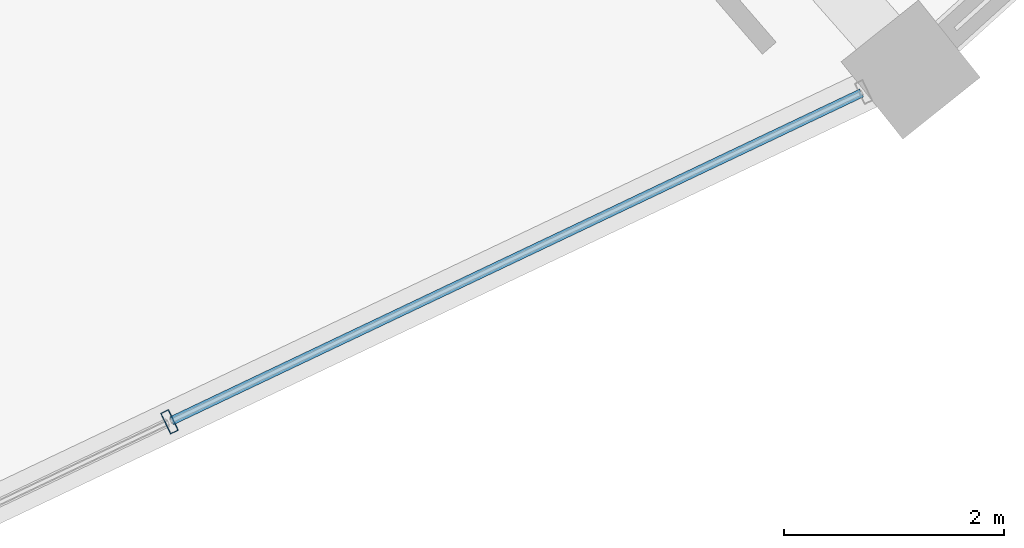
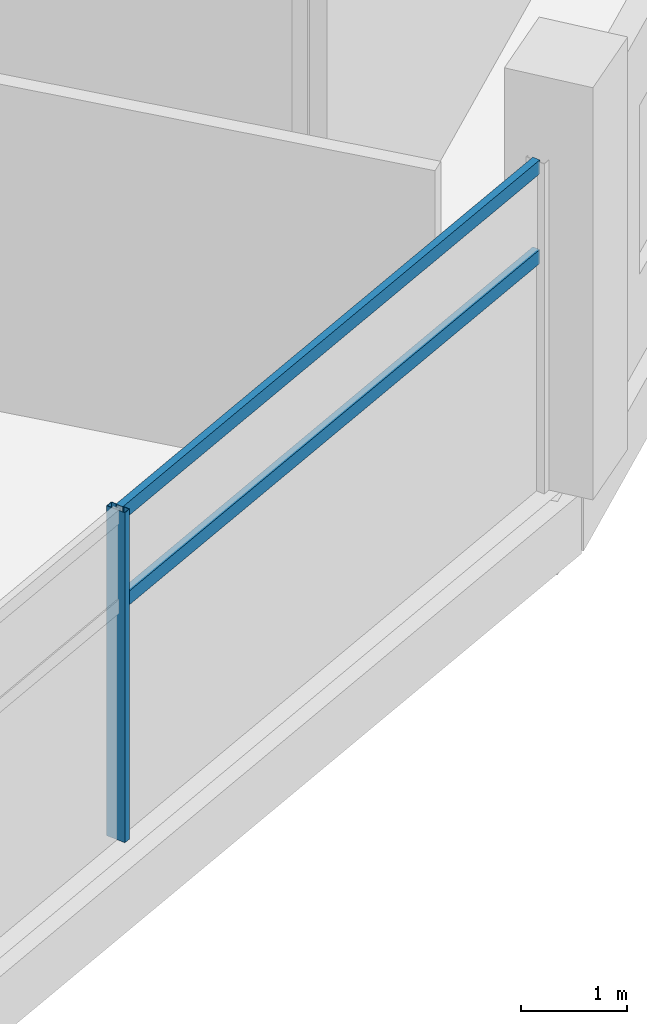
# One storey, part 55 of 171: 3 members, 1 element without a shape of its own.
"""IFC4 building model written with IfcOpenShell, lengths in metres."""

from ifc_helpers import new_model, si_unit, direction, frame, origin, origin_2d, place, context, subcontext, project, spatial, hollow_rectangle, extrude, material, layer, layer_set, material_profile, profile_set, type_object, element, aggregate, save


model = new_model("IFC4")

# Units and contexts
model_context = context("Model", 3, precision=1e-05, world=origin(), true_north=direction((0.0, 1.0)))
body_context = subcontext(model_context, "Body", "Model", "MODEL_VIEW")
ifc_project = project(units=[si_unit("LENGTHUNIT", "METRE"), si_unit("AREAUNIT", "SQUARE_METRE"), si_unit("VOLUMEUNIT", "CUBIC_METRE"), si_unit("PLANEANGLEUNIT", "RADIAN"), si_unit("MASSUNIT", "GRAM", prefix="KILO")], contexts=[model_context])

# Site, building, storey
site_placement = place(None, origin())
site = spatial("IfcSite", under=ifc_project, at=site_placement, CompositionType="ELEMENT")
building_placement = place(site_placement, origin())
building = spatial("IfcBuilding", under=site, at=building_placement, Name="Kazemori Nagisa Stadium", CompositionType="ELEMENT")
storey_placement = place(building_placement, frame((0.0, 0.0, 15.639892578125)))
storey = spatial("IfcBuildingStorey", under=building, at=storey_placement, Name="L03", CompositionType="ELEMENT", Elevation=15.639892578125)

# Curtain wall, members
ifc_material_1 = material(Name="Anodised aluminium 6063-T5", Category="aluminium")
ifc_layer = layer(ifc_material_1, 0.2099609375, Name="Anodised aluminium 6063-T5", Category="aluminium")
ifc_layer_set = layer_set([ifc_layer], Name="Anodised aluminium 6063-T5")
curtain_wall_type = type_object("IfcCurtainWallType", Name="CW_L03R3_105", PredefinedType="USERDEFINED", material=ifc_layer_set)
curtain_wall_placement = place(storey_placement, origin())
curtain_wall = element("IfcCurtainWall", 1, at=curtain_wall_placement, inside=storey, type_object=curtain_wall_type, Name="Unitised curtain wall CW-L03R3-105 L03", ObjectType="UNITISED CURTAIN WALL", PredefinedType="USERDEFINED")
ifc_material_2 = material(Name="Aluminium 6063-T5 anodised", Category="aluminium")
ifc_material_profile_1 = material_profile(ifc_material_2, hollow_rectangle(XDim=0.080078125, YDim=0.2099609375, WallThickness=0.0048828125, at=origin_2d()), Name="ALU-MULL-80x210x5")
ifc_profile_set_1 = profile_set([ifc_material_profile_1], Name="Aluminium 6063-T5 anodised")
member_type_1 = type_object("IfcMemberType", Name="Mullion_M02", PredefinedType="MULLION", material=ifc_profile_set_1)
member_1_placement = place(storey_placement, frame((178.857177734375, 27.738037109375, 0.0), z_axis=(0.0, 0.0, 1.0), x_axis=(0.903215892654, 0.429186499388, 0.0)))
member_1 = element("IfcMember", 2, at=member_1_placement, type_object=member_type_1, Name="Curtain wall mullion CW-L03R3-105-M3", PredefinedType="MULLION", context=body_context, shape_type="SweptSolid", body=[
    extrude(hollow_rectangle(XDim=0.080078125, YDim=0.2099609375, WallThickness=0.0048828125, at=origin_2d()), origin(), (0.0, 0.0, 1.0), 3.81005859375),
])
ifc_material_profile_2 = material_profile(ifc_material_2, hollow_rectangle(XDim=0.080078125, YDim=0.159912109375, WallThickness=0.00390625, at=origin_2d()), Name="ALU-TRAN-80x160x4")
ifc_profile_set_2 = profile_set([ifc_material_profile_2], Name="Aluminium 6063-T5 anodised")
member_type_2 = type_object("IfcMemberType", Name="Transom_T02", PredefinedType="USERDEFINED", material=ifc_profile_set_2)
member_2_placement = place(storey_placement, frame((178.875244140625, 27.74658203125, 2.705322265625), z_axis=(0.903221322461, 0.429175072264, 0.0), x_axis=(-0.429175072264, 0.903221322461, 0.0)))
member_2 = element("IfcMember", 3, at=member_2_placement, type_object=member_type_2, Name="Curtain wall transom CW-L03R3-105-T3-mid", ObjectType="TRANSOM", PredefinedType="USERDEFINED", context=body_context, shape_type="SweptSolid", body=[
    extrude(hollow_rectangle(XDim=0.080078125, YDim=0.159912109375, WallThickness=0.00390625, at=origin_2d()), origin(), (0.0, 0.0, 1.0), 6.947998046875),
])
member_3_placement = place(storey_placement, frame((178.875244140625, 27.74658203125, 3.739990234375), z_axis=(0.903221322461, 0.429175072264, 0.0), x_axis=(-0.429175072264, 0.903221322461, 0.0)))
member_3 = element("IfcMember", 4, at=member_3_placement, type_object=member_type_2, Name="Curtain wall transom CW-L03R3-105-T3-head", ObjectType="TRANSOM", PredefinedType="USERDEFINED", context=body_context, shape_type="SweptSolid", body=[
    extrude(hollow_rectangle(XDim=0.080078125, YDim=0.159912109375, WallThickness=0.00390625, at=origin_2d()), origin(), (0.0, 0.0, 1.0), 6.947998046875),
])
aggregate(curtain_wall, [member_1, member_2, member_3])

save(model, "model.ifc")
